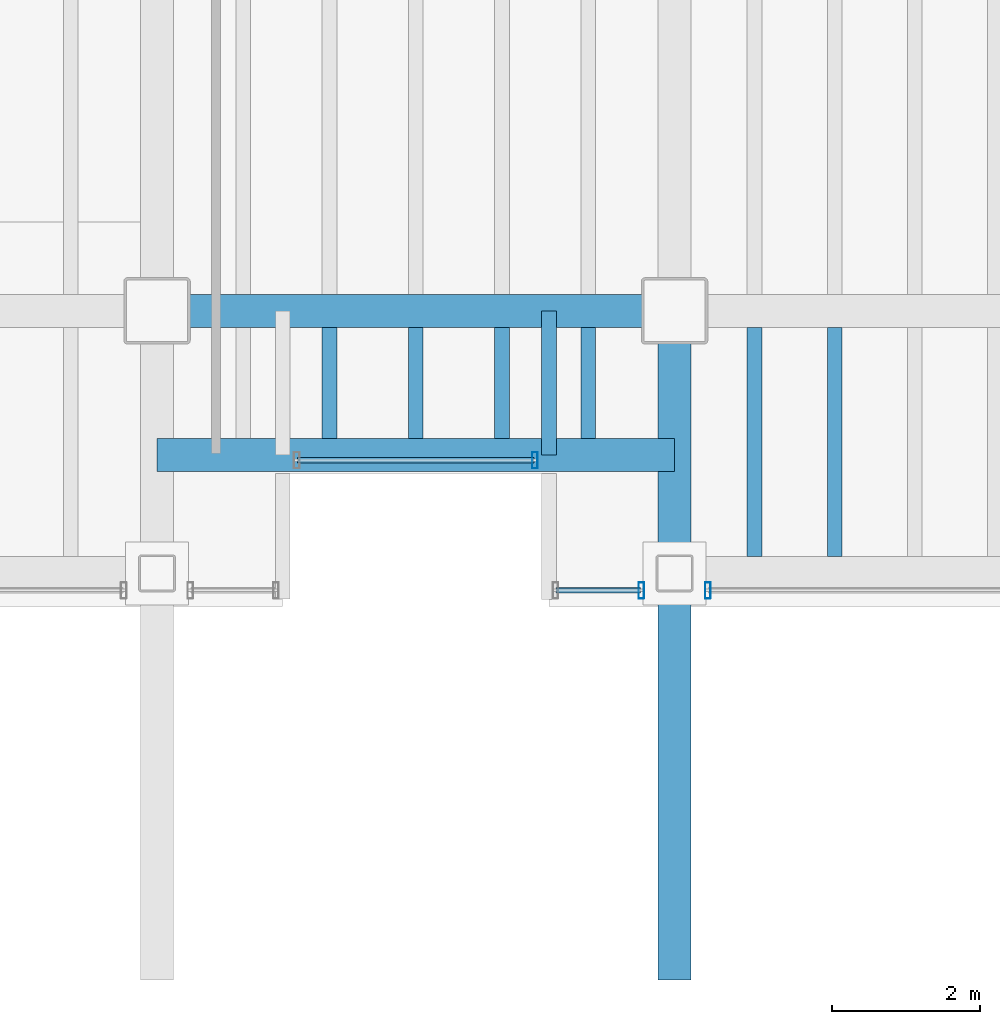
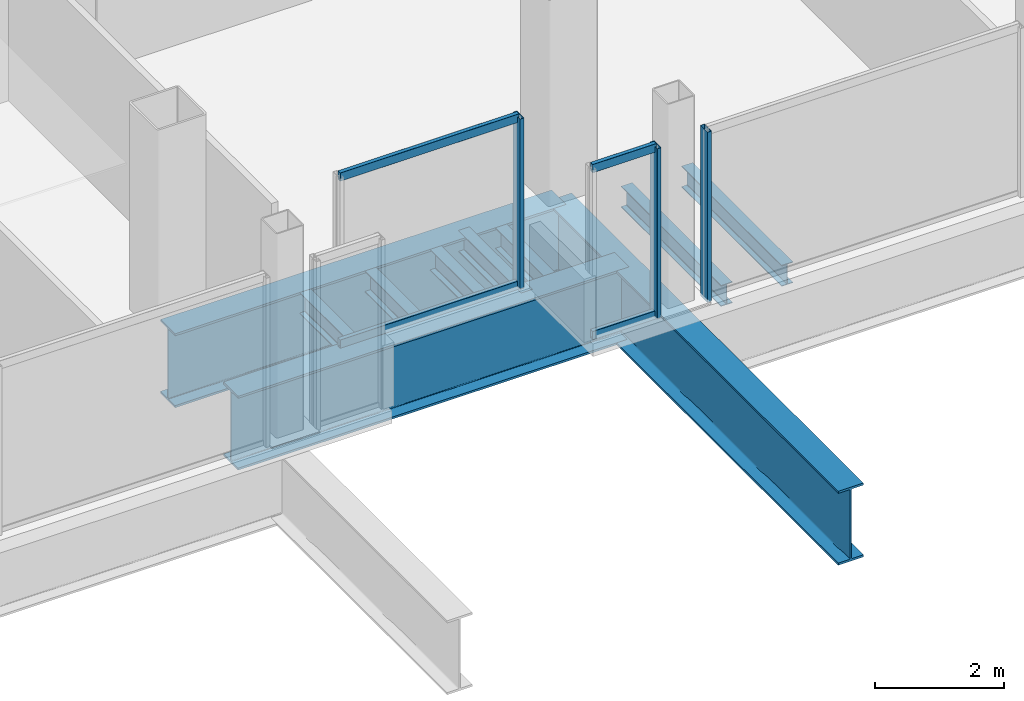
# One storey, part 6 of 24: 10 beams, 7 members, 3 elements without a shape of their own.
"""IFC4 building model written with IfcOpenShell, lengths in metres."""

from ifc_helpers import new_model, si_unit, direction, frame, origin, origin_2d, place, context, subcontext, project, spatial, hollow_rectangle, i_section, extrude, material, material_profile, profile_set, type_object, element, aggregate, save


model = new_model("IFC4")

# Units and contexts
model_context = context("Model", 3, precision=1e-05, world=origin(), true_north=direction((0.0, 1.0)))
body_context = subcontext(model_context, "Body", "Model", "MODEL_VIEW")
ifc_project = project(units=[si_unit("LENGTHUNIT", "METRE"), si_unit("AREAUNIT", "SQUARE_METRE"), si_unit("VOLUMEUNIT", "CUBIC_METRE"), si_unit("PLANEANGLEUNIT", "RADIAN"), si_unit("MASSUNIT", "GRAM", prefix="KILO")], contexts=[model_context])

# Site, building, storey
site_placement = place(None, origin())
site = spatial("IfcSite", under=ifc_project, at=site_placement, CompositionType="ELEMENT")
building_placement = place(site_placement, origin())
building = spatial("IfcBuilding", under=site, at=building_placement, Name="Noeulbin Bourse Tower", CompositionType="ELEMENT")
storey_placement = place(building_placement, frame((0.0, 0.0, 142.199951171875)))
storey = spatial("IfcBuildingStorey", under=building, at=storey_placement, Name="L35", CompositionType="ELEMENT", Elevation=142.199951171875)

# Beams
ifc_material_1 = material(Name="Steel S355", Category="steel")
ifc_material_profile_1 = material_profile(ifc_material_1, i_section(OverallWidth=0.199951171875, OverallDepth=0.39990234375, WebThickness=0.008056640625, FlangeThickness=0.012939453125, FilletRadius=0.01611328125, at=origin_2d()), Name="H-400x200x8x13", Category="LoadBearing")
ifc_profile_set_1 = profile_set([ifc_material_profile_1], Name="Steel S355")
beam_type_1 = type_object("IfcBeamType", Name="BM-SEC-400", PredefinedType="BEAM", material=ifc_profile_set_1)
beam_1_placement = place(storey_placement, frame((29.300048828125, 18.050048828125, -0.43994140625), z_axis=(0.0, 1.0, 0.0), x_axis=(-1.0, 0.0, 0.0)))
element("IfcBeam", 1, at=beam_1_placement, inside=storey, type_object=beam_type_1, Name="BM-L35-SRT-E", PredefinedType="BEAM", context=body_context, shape_type="SweptSolid", body=[
    extrude(i_section(OverallWidth=0.199951171875, OverallDepth=0.39990234375, WebThickness=0.008056640625, FlangeThickness=0.012939453125, FilletRadius=0.01611328125, at=origin_2d()), origin(), (0.0, 0.0, 1.0), 1.949951171875),
])
for number, where, z_axis, x_axis, name in (
    (2, (26.333251953125, 18.27490234375, -0.43994140625), (0.0, 1.0, 0.0), (-1.0, 0.0, 0.0), "Tower Composite Joist L35-28"),
    (3, (27.5, 18.27490234375, -0.43994140625), (0.0, 1.0, 0.0), (-1.0, 0.0, 0.0), "Tower Composite Joist L35-31"),
    (4, (28.666748046875, 18.27490234375, -0.43994140625), (0.0, 1.0, 0.0), (-1.0, 0.0, 0.0), "Tower Composite Joist L35-34"),
    (5, (29.833251953125, 18.27490234375, -0.43994140625), (0.0, 1.0, 0.0), (-1.0, 0.0, 0.0), "Tower Composite Joist L35-37"),
):
    element("IfcBeam", number, at=place(storey_placement, frame(where, z_axis=z_axis, x_axis=x_axis)), inside=storey, type_object=beam_type_1, Name=name, PredefinedType="BEAM", context=body_context, shape_type="SweptSolid", body=[
        extrude(i_section(OverallWidth=0.199951171875, OverallDepth=0.39990234375, WebThickness=0.008056640625, FlangeThickness=0.012939453125, FilletRadius=0.01611328125, at=origin_2d()), origin(), (0.0, 0.0, 1.0), 1.5),
    ])
for number, where, z_axis, x_axis, name in (
    (6, (32.083251953125, 16.675048828125, -0.43994140625), (0.0, 1.0, 0.0), (-1.0, 0.0, 0.0), "Tower Composite Joist L35-40"),
    (7, (33.166748046875, 16.675048828125, -0.43994140625), (0.0, 1.0, 0.0), (-1.0, 0.0, 0.0), "Tower Composite Joist L35-43"),
):
    element("IfcBeam", number, at=place(storey_placement, frame(where, z_axis=z_axis, x_axis=x_axis)), inside=storey, type_object=beam_type_1, Name=name, PredefinedType="BEAM", context=body_context, shape_type="SweptSolid", body=[
        extrude(i_section(OverallWidth=0.199951171875, OverallDepth=0.39990234375, WebThickness=0.008056640625, FlangeThickness=0.012939453125, FilletRadius=0.01611328125, at=origin_2d()), origin(), (0.0, 0.0, 1.0), 3.099853515625),
    ])
ifc_material_2 = material(Name="Steel S460", Category="steel")
ifc_material_profile_2 = material_profile(ifc_material_2, i_section(OverallWidth=0.449951171875, OverallDepth=1.39990234375, WebThickness=0.02392578125, FlangeThickness=0.0400390625, FilletRadius=0.02392578125, at=origin_2d()), Name="PG-1400x450x24x40", Category="LoadBearing")
ifc_profile_set_2 = profile_set([ifc_material_profile_2], Name="Steel S460")
beam_type_2 = type_object("IfcBeamType", Name="BM-TRF-1400", PredefinedType="USERDEFINED", material=ifc_profile_set_2)
beam_2_placement = place(storey_placement, frame((24.0, 20.0, -0.93994140625), z_axis=(1.0, 0.0, 0.0), x_axis=(0.0, 1.0, 0.0)))
element("IfcBeam", 8, at=beam_2_placement, inside=storey, type_object=beam_type_2, Name="Tower Primary Girder EW L35-1.3", ObjectType="GIRDER", PredefinedType="USERDEFINED", context=body_context, shape_type="SweptSolid", body=[
    extrude(i_section(OverallWidth=0.449951171875, OverallDepth=1.39990234375, WebThickness=0.02392578125, FlangeThickness=0.0400390625, FilletRadius=0.02392578125, at=origin_2d()), origin(), (0.0, 0.0, 1.0), 7.0),
])
beam_3_placement = place(storey_placement, frame((31.0, 10.949951171875, -0.93994140625), z_axis=(0.0, 1.0, 0.0), x_axis=(-1.0, 0.0, 0.0)))
element("IfcBeam", 9, at=beam_3_placement, inside=storey, type_object=beam_type_2, Name="Tower Primary Girder NS L35-3.1", ObjectType="GIRDER", PredefinedType="USERDEFINED", context=body_context, shape_type="SweptSolid", body=[
    extrude(i_section(OverallWidth=0.449951171875, OverallDepth=1.39990234375, WebThickness=0.02392578125, FlangeThickness=0.0400390625, FilletRadius=0.02392578125, at=origin_2d()), origin(), (0.0, 0.0, 1.0), 9.050048828125),
])
beam_4_placement = place(storey_placement, frame((24.0, 18.050048828125, -0.93994140625), z_axis=(1.0, 0.0, 0.0), x_axis=(0.0, 1.0, 0.0)))
element("IfcBeam", 10, at=beam_4_placement, inside=storey, type_object=beam_type_2, Name="South Recess Spandrel L35-2B", ObjectType="GIRDER", PredefinedType="USERDEFINED", context=body_context, shape_type="SweptSolid", body=[
    extrude(i_section(OverallWidth=0.449951171875, OverallDepth=1.39990234375, WebThickness=0.02392578125, FlangeThickness=0.0400390625, FilletRadius=0.02392578125, at=origin_2d()), origin(), (0.0, 0.0, 1.0), 7.0),
])

# Curtain wall, member
ifc_material_3 = material(Name="Dark Tinted Triple Glazing", Category="glass")
curtain_wall_type = type_object("IfcCurtainWallType", Name="CW-SYS-3", PredefinedType="NOTDEFINED", material=ifc_material_3)
curtain_wall_1_placement = place(storey_placement, origin())
curtain_wall_1 = element("IfcCurtainWall", 11, at=curtain_wall_1_placement, inside=storey, type_object=curtain_wall_type, Name="Unitised Curtain Wall CW-L35-SREC", PredefinedType="NOTDEFINED")
ifc_material_4 = material(Name="Anodised Aluminium 6063-T6", Category="aluminium")
ifc_material_profile_3 = material_profile(ifc_material_4, hollow_rectangle(XDim=0.074951171875, YDim=0.219970703125, WallThickness=0.0048828125, InnerFilletRadius=0.00244140625, OuterFilletRadius=0.0048828125, at=origin_2d()), Name="ALU-MULL-75x220x5", Category="LoadBearing")
ifc_profile_set_3 = profile_set([ifc_material_profile_3], Name="Anodised Aluminium 6063-T6")
member_type_1 = type_object("IfcMemberType", Name="CW-SYS-3-MUL", PredefinedType="MULLION", material=ifc_profile_set_3)
member_1_placement = place(storey_placement, frame((29.110107421875, 17.97998046875, -0.02001953125), z_axis=(0.0, 0.0, 1.0), x_axis=(1.0, 0.0, 0.0)))
member_1 = element("IfcMember", 12, at=member_1_placement, type_object=member_type_1, Name="Curtain Wall Mullion CW-L35-SREC-M01", PredefinedType="MULLION", context=body_context, shape_type="SweptSolid", body=[
    extrude(hollow_rectangle(XDim=0.074951171875, YDim=0.219970703125, WallThickness=0.0048828125, InnerFilletRadius=0.00244140625, OuterFilletRadius=0.0048828125, at=origin_2d()), origin(), (0.0, 0.0, 1.0), 3.219970703125),
])

curtain_wall_2_placement = place(storey_placement, origin())
curtain_wall_2 = element("IfcCurtainWall", 13, at=curtain_wall_2_placement, inside=storey, type_object=curtain_wall_type, Name="Unitised Curtain Wall CW-L35-S2-S1", PredefinedType="NOTDEFINED")
member_2_placement = place(storey_placement, frame((30.550048828125, 16.219970703125, -0.02001953125), z_axis=(0.0, 0.0, 1.0), x_axis=(1.0, 0.0, 0.0)))
member_2 = element("IfcMember", 14, at=member_2_placement, type_object=member_type_1, Name="Curtain Wall Mullion CW-L35-S2-S1-M01", PredefinedType="MULLION", context=body_context, shape_type="SweptSolid", body=[
    extrude(hollow_rectangle(XDim=0.074951171875, YDim=0.219970703125, WallThickness=0.0048828125, InnerFilletRadius=0.00244140625, OuterFilletRadius=0.0048828125, at=origin_2d()), origin(), (0.0, 0.0, 1.0), 3.219970703125),
])

curtain_wall_3_placement = place(storey_placement, origin())
curtain_wall_3 = element("IfcCurtainWall", 15, at=curtain_wall_3_placement, inside=storey, type_object=curtain_wall_type, Name="Unitised Curtain Wall CW-L35-S2-S2", PredefinedType="NOTDEFINED")
member_3_placement = place(storey_placement, frame((31.449951171875, 16.219970703125, -0.02001953125), z_axis=(0.0, 0.0, 1.0), x_axis=(1.0, 0.0, 0.0)))
member_3 = element("IfcMember", 16, at=member_3_placement, type_object=member_type_1, Name="Curtain Wall Mullion CW-L35-S2-S2-M00", PredefinedType="MULLION", context=body_context, shape_type="SweptSolid", body=[
    extrude(hollow_rectangle(XDim=0.074951171875, YDim=0.219970703125, WallThickness=0.0048828125, InnerFilletRadius=0.00244140625, OuterFilletRadius=0.0048828125, at=origin_2d()), origin(), (0.0, 0.0, 1.0), 3.219970703125),
])
aggregate(curtain_wall_3, [member_3])

# Member
ifc_material_profile_4 = material_profile(ifc_material_4, hollow_rectangle(XDim=0.074951171875, YDim=0.159912109375, WallThickness=0.0048828125, InnerFilletRadius=0.00244140625, OuterFilletRadius=0.0048828125, at=origin_2d()), Name="ALU-TRAN-75x160x5", Category="LoadBearing")
ifc_profile_set_4 = profile_set([ifc_material_profile_4], Name="Anodised Aluminium 6063-T6")
member_type_2 = type_object("IfcMemberType", Name="CW-SYS-3-TRN", PredefinedType="USERDEFINED", material=ifc_profile_set_4)
member_4_placement = place(storey_placement, frame((25.89990234375, 17.97998046875, 0.010009765625), z_axis=(1.0, 0.0, 0.0), x_axis=(0.0, 1.0, 0.0)))
member_4 = element("IfcMember", 17, at=member_4_placement, type_object=member_type_2, Name="Curtain Wall Transom CW-L35-SREC-T00", ObjectType="TRANSOM", PredefinedType="USERDEFINED", context=body_context, shape_type="SweptSolid", body=[
    extrude(hollow_rectangle(XDim=0.074951171875, YDim=0.159912109375, WallThickness=0.0048828125, InnerFilletRadius=0.00244140625, OuterFilletRadius=0.0048828125, at=origin_2d()), origin(), (0.0, 0.0, 1.0), 3.2001953125),
])

member_5_placement = place(storey_placement, frame((25.89990234375, 17.97998046875, 3.170166015625), z_axis=(1.0, 0.0, 0.0), x_axis=(0.0, 1.0, 0.0)))
member_5 = element("IfcMember", 18, at=member_5_placement, type_object=member_type_2, Name="Curtain Wall Transom CW-L35-SREC-T01", ObjectType="TRANSOM", PredefinedType="USERDEFINED", context=body_context, shape_type="SweptSolid", body=[
    extrude(hollow_rectangle(XDim=0.074951171875, YDim=0.159912109375, WallThickness=0.0048828125, InnerFilletRadius=0.00244140625, OuterFilletRadius=0.0048828125, at=origin_2d()), origin(), (0.0, 0.0, 1.0), 3.2001953125),
])

aggregate(curtain_wall_1, [member_1, member_4, member_5])

member_6_placement = place(storey_placement, frame((29.39990234375, 16.219970703125, 0.010009765625), z_axis=(1.0, 0.0, 0.0), x_axis=(0.0, 1.0, 0.0)))
member_6 = element("IfcMember", 19, at=member_6_placement, type_object=member_type_2, Name="Curtain Wall Transom CW-L35-S2-S1-T00", ObjectType="TRANSOM", PredefinedType="USERDEFINED", context=body_context, shape_type="SweptSolid", body=[
    extrude(hollow_rectangle(XDim=0.074951171875, YDim=0.159912109375, WallThickness=0.0048828125, InnerFilletRadius=0.00244140625, OuterFilletRadius=0.0048828125, at=origin_2d()), origin(), (0.0, 0.0, 1.0), 1.14013671875),
])

member_7_placement = place(storey_placement, frame((29.39990234375, 16.219970703125, 3.170166015625), z_axis=(1.0, 0.0, 0.0), x_axis=(0.0, 1.0, 0.0)))
member_7 = element("IfcMember", 20, at=member_7_placement, type_object=member_type_2, Name="Curtain Wall Transom CW-L35-S2-S1-T01", ObjectType="TRANSOM", PredefinedType="USERDEFINED", context=body_context, shape_type="SweptSolid", body=[
    extrude(hollow_rectangle(XDim=0.074951171875, YDim=0.159912109375, WallThickness=0.0048828125, InnerFilletRadius=0.00244140625, OuterFilletRadius=0.0048828125, at=origin_2d()), origin(), (0.0, 0.0, 1.0), 1.14013671875),
])

aggregate(curtain_wall_2, [member_2, member_6, member_7])

save(model, "model.ifc")
